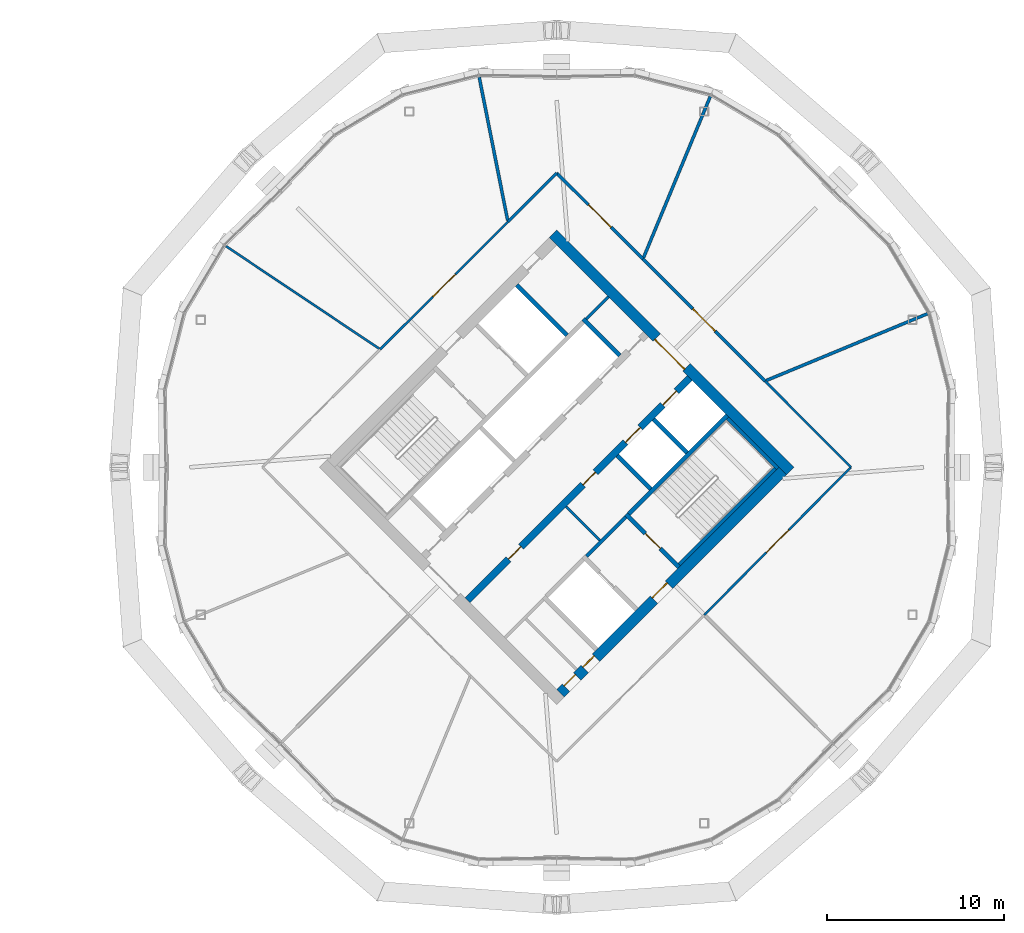
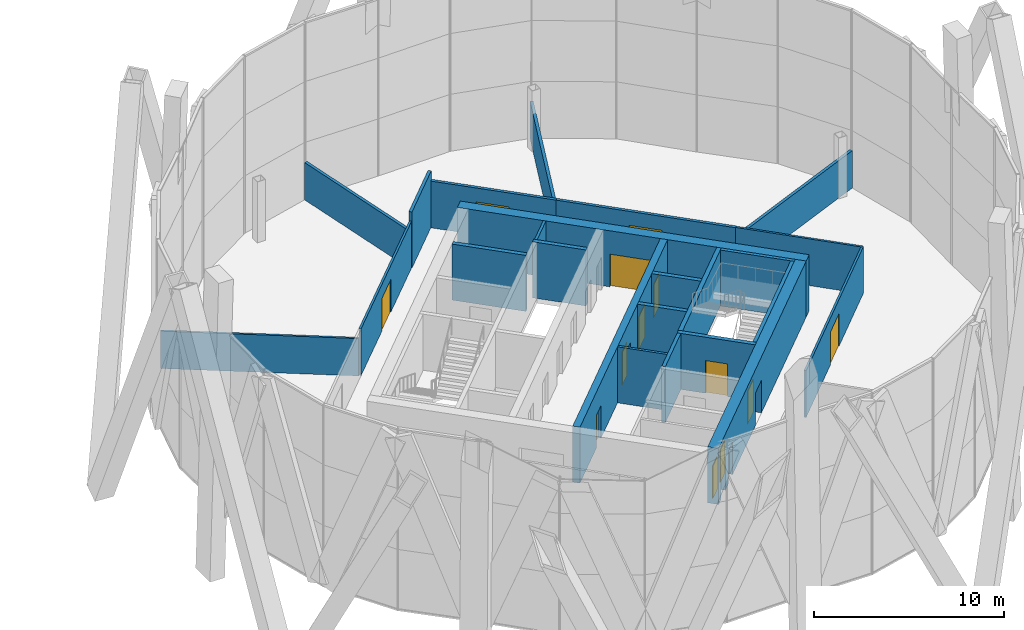
# One storey, part 19 of 23: 24 walls, 13 doors, 13 openings.
"""IFC4 building model written with IfcOpenShell, lengths in metres."""

import ifcopenshell
import ifcopenshell.guid

model = None  # the IFC model being written
_history = None  # IfcOwnerHistory: only IFC2X3 demands one
_inside = {}  # id of a spatial element -> (the spatial element, [elements in it])
_under = {}  # id of a project, library or spatial element -> (it, [spatial elements below it])
_declared = {}  # id of a project -> (the project, [libraries it declares])
_typed = {}  # id of a type object -> (the type object, [elements of that type])
_made_of = {}  # id of a material, layer set ... -> (it, [elements and type objects made of it])


def new_model(schema):
    """Start an empty IFC model of exactly this schema.

    Asked for "IFC4X3", IfcOpenShell would pick the latest addendum, in which some entities
    have other attributes; the version numbers below select the first issue.
    IFC2X3 requires an IfcOwnerHistory on every rooted entity: one is made here for all.
    """
    global model, _history
    if schema == "IFC4X3":
        model = ifcopenshell.file(schema_version=(4, 3, 0, 0))
    else:
        model = ifcopenshell.file(schema=schema)
    _inside.clear()
    _under.clear()
    _declared.clear()
    _typed.clear()
    _made_of.clear()
    _history = None
    if model.schema == "IFC2X3":
        org = make("IfcOrganization", Name="unknown")
        user = make(
            "IfcPersonAndOrganization",
            ThePerson=make("IfcPerson", FamilyName="unknown"),
            TheOrganization=org,
        )
        app = make(
            "IfcApplication",
            ApplicationDeveloper=org,
            Version="unknown",
            ApplicationFullName="unknown",
            ApplicationIdentifier="unknown",
        )
        _history = make(
            "IfcOwnerHistory",
            OwningUser=user,
            OwningApplication=app,
            ChangeAction="ADDED",
            CreationDate=0,
        )
    return model


def make(cls, **values):
    """One entity of the class cls with the attributes given. An attribute that is None is left unset."""
    return model.create_entity(
        cls, **{name: value for name, value in values.items() if value is not None}
    )


def rooted(cls, **values):
    """An entity with a GlobalId (a new one), such as an element, a storey or a relation."""
    return make(cls, GlobalId=ifcopenshell.guid.new(), OwnerHistory=_history, **values)


def si_unit(unit_type, name, prefix=None):
    """IfcSIUnit, for example si_unit("LENGTHUNIT", "METRE", prefix="MILLI")."""
    return make("IfcSIUnit", UnitType=unit_type, Prefix=prefix, Name=name)


def assignment(units):
    """IfcUnitAssignment: the units of a project."""
    return None if units is None else make("IfcUnitAssignment", Units=units)


def point(xyz):
    """IfcCartesianPoint."""
    return None if xyz is None else make("IfcCartesianPoint", Coordinates=xyz)


def direction(xyz):
    """IfcDirection."""
    return None if xyz is None else make("IfcDirection", DirectionRatios=xyz)


def frame(location, z_axis=None, x_axis=None):
    """IfcAxis2Placement3D, a coordinate frame: its origin and axes. An axis left out is left unset."""
    return make(
        "IfcAxis2Placement3D",
        Location=point(location),
        Axis=direction(z_axis),
        RefDirection=direction(x_axis),
    )


def frame_2d(location, x_axis=None):
    """IfcAxis2Placement2D, a coordinate frame in the plane: its origin and x axis."""
    return make(
        "IfcAxis2Placement2D", Location=point(location), RefDirection=direction(x_axis)
    )


def origin():
    """The frame at (0, 0, 0) with its axes left unset."""
    return frame((0.0, 0.0, 0.0))


def place(relative_to, where):
    """IfcLocalPlacement: puts the frame where relative to a parent placement (None: the world)."""
    return make(
        "IfcLocalPlacement", PlacementRelTo=relative_to, RelativePlacement=where
    )


def context(
    kind, dimensions, precision=None, world=None, true_north=None, identifier=None
):
    """IfcGeometricRepresentationContext, for example the 3D "Model" context."""
    return make(
        "IfcGeometricRepresentationContext",
        ContextIdentifier=identifier,
        ContextType=kind,
        CoordinateSpaceDimension=dimensions,
        Precision=precision,
        WorldCoordinateSystem=world,
        TrueNorth=true_north,
    )


def subcontext(parent, identifier, kind, view, scale=None):
    """IfcGeometricRepresentationSubContext, for example "Body" below "Model"."""
    return make(
        "IfcGeometricRepresentationSubContext",
        ContextIdentifier=identifier,
        ContextType=kind,
        ParentContext=parent,
        TargetScale=scale,
        TargetView=view,
    )


def project(units=None, contexts=None):
    """IfcProject with its units and contexts."""
    return rooted(
        "IfcProject",
        Name="project",
        RepresentationContexts=contexts,
        UnitsInContext=assignment(units),
    )


def spatial(cls, under=None, at=None, **own):
    """A site, building, storey or space (cls), placed at a placement, below another one or the project."""
    s = rooted(cls, ObjectPlacement=at, **own)
    if under is not None:
        _under.setdefault(under.id(), (under, []))[1].append(s)
    return s


def profile(cls, at=None, kind="AREA", **sizes):
    """A parametric profile (cls). Its sizes go by their IFC names, for example OverallWidth=200.0."""
    return make(cls, ProfileType=kind, Position=at, **sizes)


def rectangle(**sizes):
    """IfcRectangleProfileDef."""
    return profile("IfcRectangleProfileDef", **sizes)


def extrude(swept, where, along, depth):
    """IfcExtrudedAreaSolid: the profile swept, set in the frame where, extruded along a direction by depth."""
    return make(
        "IfcExtrudedAreaSolid",
        SweptArea=swept,
        Position=where,
        ExtrudedDirection=direction(along),
        Depth=depth,
    )


def shape(context_of_items, identifier, shape_type, items):
    """IfcShapeRepresentation: the items that make up one representation, for example the "Body"."""
    return make(
        "IfcShapeRepresentation",
        ContextOfItems=context_of_items,
        RepresentationIdentifier=identifier,
        RepresentationType=shape_type,
        Items=items,
    )


def material(Name=None, Category=None):
    """IfcMaterial."""
    return make("IfcMaterial", Name=Name, Category=Category)


def layer(
    of_material, thickness, ventilated=None, Name=None, Category=None, Priority=None
):
    """IfcMaterialLayer: one layer of a wall or slab, of a material (None: an air gap)."""
    return make(
        "IfcMaterialLayer",
        Material=of_material,
        LayerThickness=thickness,
        IsVentilated=ventilated,
        Name=Name,
        Category=Category,
        Priority=Priority,
    )


def layer_set(layers, Name=None):
    """IfcMaterialLayerSet."""
    return make("IfcMaterialLayerSet", MaterialLayers=layers, LayerSetName=Name)


def made_of(thing, what):
    """Note that an element or type object is made of a material, layer set ...; save() writes the relation."""
    if what is not None:
        _made_of.setdefault(what.id(), (what, []))[1].append(thing)
    return thing


def type_object(cls, material=None, **own):
    """A type object (cls), such as IfcWallType, which elements share."""
    return made_of(rooted(cls, **own), material)


def element(
    cls,
    number,
    at=None,
    inside=None,
    cuts=None,
    type_object=None,
    material=None,
    context=None,
    identifier="Body",
    shape_type=None,
    held_by="IfcProductDefinitionShape",
    body=None,
    shapes=None,
    **own,
):
    """One element of the class cls, such as IfcWall. Its Tag is "e" and its number.

    at: its placement. inside: the storey or other place that contains it. cuts: it is an
    opening in that element (IfcRelVoidsElement). A single representation is given by context,
    identifier, shape_type and body (its items); several are given by shapes. held_by: the class
    of the entity that holds the representations. save() writes the other relations.
    """
    e = rooted(cls, Tag="e%d" % number, ObjectPlacement=at, **own)
    if body is not None:
        shapes = [shape(context, identifier, shape_type, body)]
    if shapes is not None:
        e.Representation = make(held_by, Representations=shapes)
    if inside is not None:
        _inside.setdefault(inside.id(), (inside, []))[1].append(e)
    if cuts is not None:
        rooted(
            "IfcRelVoidsElement", RelatingBuildingElement=cuts, RelatedOpeningElement=e
        )
    if type_object is not None:
        _typed.setdefault(type_object.id(), (type_object, []))[1].append(e)
    return made_of(e, material)


def fill(opening, filler):
    """IfcRelFillsElement: the door or window that sits in an opening."""
    return rooted(
        "IfcRelFillsElement",
        RelatingOpeningElement=opening,
        RelatedBuildingElement=filler,
    )


def aggregate(whole, parts):
    """IfcRelAggregates: a whole, such as a stair, and the parts it consists of."""
    return rooted("IfcRelAggregates", RelatingObject=whole, RelatedObjects=parts)


def save(model, path):
    """Write the relations noted so far, then the file.

    IfcRelAggregates (storeys below a building ...), IfcRelContainedInSpatialStructure (elements
    in a storey), IfcRelDefinesByType, IfcRelAssociatesMaterial and IfcRelDeclares: one each for
    every whole, place, type object, material and project.
    """
    for whole, parts in _under.values():
        aggregate(whole, parts)
    for where, things in _inside.values():
        rooted(
            "IfcRelContainedInSpatialStructure",
            RelatedElements=things,
            RelatingStructure=where,
        )
    for kind, things in _typed.values():
        rooted("IfcRelDefinesByType", RelatedObjects=things, RelatingType=kind)
    for what, things in _made_of.values():
        rooted("IfcRelAssociatesMaterial", RelatedObjects=things, RelatingMaterial=what)
    for by, libraries in _declared.values():
        rooted("IfcRelDeclares", RelatingContext=by, RelatedDefinitions=libraries)
    model.write(path)


model = new_model("IFC4")

# Units and contexts
model_context = context("Model", 3, precision=1e-05, world=origin(), true_north=direction((0.0, 1.0)))
body_context = subcontext(model_context, "Body", "Model", "MODEL_VIEW")
ifc_project = project(units=[si_unit("LENGTHUNIT", "METRE"), si_unit("AREAUNIT", "SQUARE_METRE"), si_unit("VOLUMEUNIT", "CUBIC_METRE"), si_unit("PLANEANGLEUNIT", "RADIAN"), si_unit("MASSUNIT", "GRAM", prefix="KILO")], contexts=[model_context])

# Site, building, storey
site_placement = place(None, origin())
site = spatial("IfcSite", under=ifc_project, at=site_placement, CompositionType="ELEMENT")
building_placement = place(site_placement, origin())
building = spatial("IfcBuilding", under=site, at=building_placement, Name="Ogive Gate Towers", CompositionType="ELEMENT")
storey_placement = place(building_placement, frame((0.0, 0.0, 165.60009765625)))
storey = spatial("IfcBuildingStorey", under=building, at=storey_placement, Name="L39", CompositionType="ELEMENT", Elevation=165.60009765625)

# Walls
ifc_material_1 = material(Name="Gypsum board acoustic partition")
ifc_layer_1 = layer(ifc_material_1, 0.175048828125)
ifc_layer_set_1 = layer_set([ifc_layer_1], Name="Acoustic partition 175")
wall_type_1 = type_object("IfcWallType", Name="Acoustic partition 175", PredefinedType="PARTITIONING", material=ifc_layer_set_1)
for number, where, z_axis, x_axis, name in (
    (1, (56.999755859375, 8.698486328125, 0.0), (0.0, 0.0, 1.0), (-0.923882696383, -0.382675794013, 0.0), "Partition T2-L39-001"),
    (2, (44.698486328125, 20.999755859375, 0.0), (0.0, 0.0, 1.0), (-0.382675794013, -0.923882696383, 0.0), "Partition T2-L39-002"),
):
    element("IfcWall", number, at=place(storey_placement, frame(where, z_axis=z_axis, x_axis=x_axis)), inside=storey, type_object=wall_type_1, Name=name, PredefinedType="PARTITIONING", context=body_context, shape_type="SweptSolid", body=[
        extrude(rectangle(XDim=9.87158203125, YDim=0.175048828125, at=frame_2d((4.935791015625, 0.0))), origin(), (0.0, 0.0, 1.0), 2.39990234375),
    ])
wall_1_placement = place(storey_placement, frame((31.612548828125, 22.09814453125, 0.0), z_axis=(0.0, 0.0, 1.0), x_axis=(0.194747981296, -0.9808533141, 0.0)))
element("IfcWall", 3, at=wall_1_placement, inside=storey, type_object=wall_type_1, Name="Partition T2-L39-003", PredefinedType="PARTITIONING", context=body_context, shape_type="SweptSolid", body=[
    extrude(rectangle(XDim=8.271484375, YDim=0.175048828125, at=frame_2d((4.1357421875, 0.0))), origin(), (0.0, 0.0, 1.0), 2.39990234375),
])

# Wall, opening, door
wall_2_placement = place(storey_placement, frame((40.88720703125, 11.798828125, 0.0), z_axis=(0.0, 0.0, 1.0), x_axis=(-0.709034527983, 0.705173764492, 0.0)))
wall_2 = element("IfcWall", 4, at=wall_2_placement, inside=storey, type_object=wall_type_1, Name="Partition T2-L39-009", PredefinedType="PARTITIONING", context=body_context, shape_type="SweptSolid", body=[
    extrude(rectangle(XDim=6.892822265625, YDim=0.175048828125, at=frame_2d((3.4462890625, 0.0))), origin(), (0.0, 0.0, 1.0), 3.0),
])
opening_1_placement = place(wall_2_placement, frame((2.5458984375, 0.0, 0.0)))
opening_1 = element("IfcOpeningElement", 5, at=opening_1_placement, cuts=wall_2, Name="Opening T2-L39-D01", PredefinedType="OPENING", context=body_context, shape_type="SweptSolid", body=[
    extrude(rectangle(XDim=1.800048828125, YDim=2.10009765625, at=frame_2d((0.89990234375, 1.050048828125))), frame((0.0, 0.09765625, 0.0), z_axis=(0.0, -1.0, 0.0), x_axis=(1.0, 0.0, 0.0)), (0.0, 0.0, 1.0), 0.195068359375),
])
ifc_material_2 = material(Name="Timber door", Category="wood")
door_type_1 = type_object("IfcDoorType", Name="Door pair 1800", OperationType="NOTDEFINED", PredefinedType="DOOR", material=ifc_material_2)
door_1_placement = place(opening_1_placement, origin())
door_1 = element("IfcDoor", 6, at=door_1_placement, inside=storey, type_object=door_type_1, Name="Door T2-L39-D01", OperationType="DOUBLE_DOOR_DOUBLE_SWING", OverallHeight=2.10009765625, OverallWidth=1.800048828125, PredefinedType="DOOR", context=body_context, shape_type="SweptSolid", body=[
    extrude(rectangle(XDim=1.800048828125, YDim=2.10009765625, at=frame_2d((0.89990234375, 1.050048828125))), frame((0.0, 0.02490234375, 0.0), z_axis=(0.0, -1.0, 0.0), x_axis=(1.0, 0.0, 0.0)), (0.0, 0.0, 1.0), 0.050048828125),
])
fill(opening_1, door_1)

# Wall
wall_3_placement = place(storey_placement, frame((36.0, 16.659423828125, 0.0), z_axis=(0.0, 0.0, 1.0), x_axis=(-0.707075505039, -0.707138055951, 0.0)))
element("IfcWall", 7, at=wall_3_placement, inside=storey, type_object=wall_type_1, Name="Partition T2-L39-010", PredefinedType="PARTITIONING", context=body_context, shape_type="SweptSolid", body=[
    extrude(rectangle(XDim=3.903076171875, YDim=0.175048828125, at=frame_2d((1.95166015625, 0.0))), origin(), (0.0, 0.0, 1.0), 3.599853515625),
])

# Wall, opening, door
wall_4_placement = place(storey_placement, frame((47.798828125, 4.88720703125, 0.0), z_axis=(0.0, 0.0, 1.0), x_axis=(-0.707106781187, 0.707106781187, 0.0)))
wall_4 = element("IfcWall", 8, at=wall_4_placement, inside=storey, type_object=wall_type_1, Name="Partition T2-L39-020", PredefinedType="PARTITIONING", context=body_context, shape_type="SweptSolid", body=[
    extrude(rectangle(XDim=9.7744140625, YDim=0.175048828125, at=frame_2d((4.88720703125, 0.0))), origin(), (0.0, 0.0, 1.0), 3.0),
])
opening_2_placement = place(wall_4_placement, frame((3.987060546875, 0.0, 0.0)))
opening_2 = element("IfcOpeningElement", 9, at=opening_2_placement, cuts=wall_4, Name="Opening T2-L39-D08", PredefinedType="OPENING", context=body_context, shape_type="SweptSolid", body=[
    extrude(rectangle(XDim=1.800048828125, YDim=2.10009765625, at=frame_2d((0.89990234375, 1.050048828125))), frame((0.0, 0.09765625, 0.0), z_axis=(0.0, -1.0, 0.0), x_axis=(1.0, 0.0, 0.0)), (0.0, 0.0, 1.0), 0.195068359375),
])
door_2_placement = place(opening_2_placement, origin())
door_2 = element("IfcDoor", 10, at=door_2_placement, inside=storey, type_object=door_type_1, Name="Door T2-L39-D08", OperationType="DOUBLE_DOOR_DOUBLE_SWING", OverallHeight=2.10009765625, OverallWidth=1.800048828125, PredefinedType="DOOR", context=body_context, shape_type="SweptSolid", body=[
    extrude(rectangle(XDim=1.800048828125, YDim=2.10009765625, at=frame_2d((0.89990234375, 1.050048828125))), frame((0.0, 0.02490234375, 0.0), z_axis=(0.0, -1.0, 0.0), x_axis=(1.0, 0.0, 0.0)), (0.0, 0.0, 1.0), 0.050048828125),
])
fill(opening_2, door_2)

# Wall
ifc_material_3 = material(Name="Masonry blockwork", Category="masonry")
ifc_layer_2 = layer(ifc_material_3, 0.199951171875)
ifc_layer_set_2 = layer_set([ifc_layer_2], Name="Blockwork wall 200 mm")
wall_type_2 = type_object("IfcWallType", Name="Blockwork wall 200 mm", PredefinedType="PARTITIONING", material=ifc_layer_set_2)
wall_5_placement = place(storey_placement, frame((37.679443359375, -5.0380859375, 0.0), z_axis=(0.0, 0.0, 1.0), x_axis=(0.707106781187, 0.707106781187, 0.0)))
element("IfcWall", 11, at=wall_5_placement, inside=storey, type_object=wall_type_2, Name="T2 L39 Blockwork wall 200 mm", PredefinedType="PARTITIONING", context=body_context, shape_type="SweptSolid", body=[
    extrude(rectangle(XDim=3.14990234375, YDim=0.199951171875, at=frame_2d((1.574951171875, 0.0))), origin(), (0.0, 0.0, 1.0), 3.599853515625),
])

# Wall, openings, doors
ifc_material_4 = material(Name="Concrete C60/75", Category="concrete")
ifc_layer_3 = layer(ifc_material_4, 0.60009765625)
ifc_layer_set_3 = layer_set([ifc_layer_3], Name="Core wall 600 mm")
wall_type_3 = type_object("IfcWallType", Name="Core wall 600 mm", PredefinedType="SHEAR", material=ifc_layer_set_3)
wall_6_placement = place(storey_placement, frame((36.212158203125, -12.798583984375, 0.0), z_axis=(0.0, 0.0, 1.0), x_axis=(0.707106781187, 0.707106781187, 0.0)))
wall_6 = element("IfcWall", 12, at=wall_6_placement, inside=storey, type_object=wall_type_3, Name="T2 L39 Core wall 600 mm", PredefinedType="SHEAR", context=body_context, shape_type="SweptSolid", body=[
    extrude(rectangle(XDim=17.7998046875, YDim=0.60009765625, at=frame_2d((8.89990234375, 0.0))), origin(), (0.0, 0.0, 1.0), 3.599853515625),
])
opening_3_placement = place(wall_6_placement, frame((7.5, 0.0, 0.0)))
opening_3 = element("IfcOpeningElement", 13, at=opening_3_placement, cuts=wall_6, Name="Opening KD-T2-L39-19", PredefinedType="OPENING", context=body_context, shape_type="SweptSolid", body=[
    extrude(rectangle(XDim=1.199951171875, YDim=2.10009765625, at=frame_2d((0.60009765625, 1.050048828125))), frame((0.0, 0.31005859375, 0.0), z_axis=(0.0, -1.0, 0.0), x_axis=(1.0, 0.0, 0.0)), (0.0, 0.0, 1.0), 0.6201171875),
])
opening_4_placement = place(wall_6_placement, frame((0.449951171875, 0.0, 0.0)))
opening_4 = element("IfcOpeningElement", 14, at=opening_4_placement, cuts=wall_6, Name="Opening KD-T2-L39-21", PredefinedType="OPENING", context=body_context, shape_type="SweptSolid", body=[
    extrude(rectangle(XDim=0.89990234375, YDim=2.10009765625, at=frame_2d((0.449951171875, 1.050048828125))), frame((0.0, 0.31005859375, 0.0), z_axis=(0.0, -1.0, 0.0), x_axis=(1.0, 0.0, 0.0)), (0.0, 0.0, 1.0), 0.6201171875),
])
opening_5_placement = place(wall_6_placement, frame((1.949951171875, 0.0, 0.0)))
opening_5 = element("IfcOpeningElement", 15, at=opening_5_placement, cuts=wall_6, Name="Opening KD-T2-L39-22", PredefinedType="OPENING", context=body_context, shape_type="SweptSolid", body=[
    extrude(rectangle(XDim=0.89990234375, YDim=2.10009765625, at=frame_2d((0.449951171875, 1.050048828125))), frame((0.0, 0.31005859375, 0.0), z_axis=(0.0, -1.0, 0.0), x_axis=(1.0, 0.0, 0.0)), (0.0, 0.0, 1.0), 0.6201171875),
])
door_type_2 = type_object("IfcDoorType", Name="Core WC door 900 x 2100", OperationType="NOTDEFINED", PredefinedType="DOOR", material=ifc_material_2)
door_3_placement = place(opening_4_placement, origin())
door_3 = element("IfcDoor", 16, at=door_3_placement, inside=storey, type_object=door_type_2, Name="T2 L39 Core door", OperationType="SINGLE_SWING_RIGHT", OverallHeight=2.10009765625, OverallWidth=0.89990234375, PredefinedType="DOOR", context=body_context, shape_type="SweptSolid", body=[
    extrude(rectangle(XDim=0.89990234375, YDim=2.10009765625, at=frame_2d((0.449951171875, 1.050048828125))), frame((0.0, 0.1748046875, 0.0), z_axis=(0.0, -1.0, 0.0), x_axis=(1.0, 0.0, 0.0)), (0.0, 0.0, 1.0), 0.050048828125),
])
fill(opening_4, door_3)
door_4_placement = place(opening_5_placement, origin())
door_4 = element("IfcDoor", 17, at=door_4_placement, inside=storey, type_object=door_type_2, Name="T2 L39 Core door", OperationType="SINGLE_SWING_LEFT", OverallHeight=2.10009765625, OverallWidth=0.89990234375, PredefinedType="DOOR", context=body_context, shape_type="SweptSolid", body=[
    extrude(rectangle(XDim=0.89990234375, YDim=2.10009765625, at=frame_2d((0.449951171875, 1.050048828125))), frame((0.0, 0.1748046875, 0.0), z_axis=(0.0, -1.0, 0.0), x_axis=(1.0, 0.0, 0.0)), (0.0, 0.0, 1.0), 0.050048828125),
])
fill(opening_5, door_4)
ifc_material_5 = material(Name="Steel fire door", Category="steel")
door_type_3 = type_object("IfcDoorType", Name="Core door FD60S 1200 x 2100", OperationType="NOTDEFINED", PredefinedType="DOOR", material=ifc_material_5)
door_5_placement = place(opening_3_placement, origin())
door_5 = element("IfcDoor", 18, at=door_5_placement, inside=storey, type_object=door_type_3, Name="T2 L39 Fire-fighting lobby door", OperationType="SINGLE_SWING_RIGHT", OverallHeight=2.10009765625, OverallWidth=1.199951171875, PredefinedType="DOOR", context=body_context, shape_type="SweptSolid", body=[
    extrude(rectangle(XDim=1.199951171875, YDim=2.10009765625, at=frame_2d((0.60009765625, 1.050048828125))), frame((0.0, 0.1748046875, 0.0), z_axis=(0.0, -1.0, 0.0), x_axis=(1.0, 0.0, 0.0)), (0.0, 0.0, 1.0), 0.050048828125),
])
fill(opening_3, door_5)

# Wall, opening, door
wall_7_placement = place(storey_placement, frame((49.222900390625, -0.212158203125, 0.0), z_axis=(0.0, 0.0, 1.0), x_axis=(-0.707106781187, 0.707106781187, 0.0)))
wall_7 = element("IfcWall", 19, at=wall_7_placement, inside=storey, type_object=wall_type_3, Name="T2 L39 Core wall 600 mm", PredefinedType="SHEAR", context=body_context, shape_type="SweptSolid", body=[
    extrude(rectangle(XDim=19.0, YDim=0.60009765625, at=frame_2d((9.5, 0.0))), origin(), (0.0, 0.0, 1.0), 3.599853515625),
])
opening_6_placement = place(wall_7_placement, frame((8.300048828125, 0.0, 0.0)))
opening_6 = element("IfcOpeningElement", 20, at=opening_6_placement, cuts=wall_7, Name="Opening KD-T2-L39-02", PredefinedType="OPENING", context=body_context, shape_type="SweptSolid", body=[
    extrude(rectangle(XDim=2.39990234375, YDim=2.10009765625, at=frame_2d((1.199951171875, 1.050048828125))), frame((0.0, 0.31005859375, 0.0), z_axis=(0.0, -1.0, 0.0), x_axis=(1.0, 0.0, 0.0)), (0.0, 0.0, 1.0), 0.6201171875),
])
door_type_4 = type_object("IfcDoorType", Name="Core double door FD60S 2400 x 2100", OperationType="DOUBLE_DOOR_SINGLE_SWING", PredefinedType="DOOR", material=ifc_material_5)
door_6_placement = place(opening_6_placement, origin())
door_6 = element("IfcDoor", 21, at=door_6_placement, inside=storey, type_object=door_type_4, Name="T2 L39 Core door double", OperationType="DOUBLE_DOOR_SINGLE_SWING", OverallHeight=2.10009765625, OverallWidth=2.39990234375, PredefinedType="DOOR", context=body_context, shape_type="SweptSolid", body=[
    extrude(rectangle(XDim=2.39990234375, YDim=2.10009765625, at=frame_2d((1.199951171875, 1.050048828125))), frame((0.0, 0.1748046875, 0.0), z_axis=(0.0, -1.0, 0.0), x_axis=(1.0, 0.0, 0.0)), (0.0, 0.0, 1.0), 0.050048828125),
])
fill(opening_6, door_6)

# Wall
ifc_material_6 = material(Name="Gypsum board partition")
ifc_layer_4 = layer(ifc_material_6, 0.125)
ifc_layer_set_4 = layer_set([ifc_layer_4], Name="Partition 125")
wall_type_4 = type_object("IfcWallType", Name="Partition 125", PredefinedType="PARTITIONING", material=ifc_layer_set_4)
wall_8_placement = place(storey_placement, frame((17.271728515625, 12.5234375, 0.0), z_axis=(0.0, 0.0, 1.0), x_axis=(0.831276473527, -0.555859176914, 0.0)))
element("IfcWall", 22, at=wall_8_placement, inside=storey, type_object=wall_type_4, Name="Partition T2-L39-004", PredefinedType="PARTITIONING", context=body_context, shape_type="SweptSolid", body=[
    extrude(rectangle(XDim=10.44677734375, YDim=0.125, at=frame_2d((5.223388671875, 0.0))), origin(), (0.0, 0.0, 1.0), 2.39990234375),
])

# Wall, opening, door
wall_9_placement = place(storey_placement, frame((33.240234375, 13.8994140625, 0.0), z_axis=(0.0, 0.0, 1.0), x_axis=(-0.707847093998, -0.706365692484, 0.0)))
wall_9 = element("IfcWall", 23, at=wall_9_placement, inside=storey, type_object=wall_type_4, Name="Partition T2-L39-011", PredefinedType="PARTITIONING", context=body_context, shape_type="SweptSolid", body=[
    extrude(rectangle(XDim=10.2177734375, YDim=0.125, at=frame_2d((5.10888671875, 0.0))), origin(), (0.0, 0.0, 1.0), 3.0),
])
opening_7_placement = place(wall_9_placement, frame((4.208984375, 0.0, 0.0)))
opening_7 = element("IfcOpeningElement", 24, at=opening_7_placement, cuts=wall_9, Name="Opening T2-L39-D02", PredefinedType="OPENING", context=body_context, shape_type="SweptSolid", body=[
    extrude(rectangle(XDim=1.800048828125, YDim=2.10009765625, at=frame_2d((0.89990234375, 1.050048828125))), frame((0.0, 0.072509765625, 0.0), z_axis=(0.0, -1.0, 0.0), x_axis=(1.0, 0.0, 0.0)), (0.0, 0.0, 1.0), 0.14501953125),
])
door_7_placement = place(opening_7_placement, origin())
door_7 = element("IfcDoor", 25, at=door_7_placement, inside=storey, type_object=door_type_1, Name="Door T2-L39-D02", OperationType="DOUBLE_DOOR_DOUBLE_SWING", OverallHeight=2.10009765625, OverallWidth=1.800048828125, PredefinedType="DOOR", context=body_context, shape_type="SweptSolid", body=[
    extrude(rectangle(XDim=1.800048828125, YDim=2.10009765625, at=frame_2d((0.89990234375, 1.050048828125))), frame((0.0, 0.02490234375, 0.0), z_axis=(0.0, -1.0, 0.0), x_axis=(1.0, 0.0, 0.0)), (0.0, 0.0, 1.0), 0.050048828125),
])
fill(opening_7, door_7)

wall_10_placement = place(storey_placement, frame((44.35791015625, -8.35791015625, 0.0), z_axis=(0.0, 0.0, 1.0), x_axis=(0.70470900278, 0.709496456229, 0.0)))
wall_10 = element("IfcWall", 26, at=wall_10_placement, inside=storey, type_object=wall_type_4, Name="Partition T2-L39-018", PredefinedType="PARTITIONING", context=body_context, shape_type="SweptSolid", body=[
    extrude(rectangle(XDim=11.780029296875, YDim=0.125, at=frame_2d((5.89013671875, 0.0))), origin(), (0.0, 0.0, 1.0), 3.0),
])
opening_8_placement = place(wall_10_placement, frame((4.989990234375, 0.0, 0.0)))
opening_8 = element("IfcOpeningElement", 27, at=opening_8_placement, cuts=wall_10, Name="Opening T2-L39-D07", PredefinedType="OPENING", context=body_context, shape_type="SweptSolid", body=[
    extrude(rectangle(XDim=1.800048828125, YDim=2.10009765625, at=frame_2d((0.89990234375, 1.050048828125))), frame((0.0, 0.072509765625, 0.0), z_axis=(0.0, -1.0, 0.0), x_axis=(1.0, 0.0, 0.0)), (0.0, 0.0, 1.0), 0.14501953125),
])
door_8_placement = place(opening_8_placement, origin())
door_8 = element("IfcDoor", 28, at=door_8_placement, inside=storey, type_object=door_type_1, Name="Door T2-L39-D07", OperationType="DOUBLE_DOOR_DOUBLE_SWING", OverallHeight=2.10009765625, OverallWidth=1.800048828125, PredefinedType="DOOR", context=body_context, shape_type="SweptSolid", body=[
    extrude(rectangle(XDim=1.800048828125, YDim=2.10009765625, at=frame_2d((0.89990234375, 1.050048828125))), frame((0.0, 0.02490234375, 0.0), z_axis=(0.0, -1.0, 0.0), x_axis=(1.0, 0.0, 0.0)), (0.0, 0.0, 1.0), 0.050048828125),
])
fill(opening_8, door_8)

# Walls
wall_11_placement = place(storey_placement, frame((52.659423828125, 0.0, 0.0), z_axis=(0.0, 0.0, 1.0), x_axis=(-0.705173764492, 0.709034527983, 0.0)))
element("IfcWall", 29, at=wall_11_placement, inside=storey, type_object=wall_type_4, Name="Partition T2-L39-019", PredefinedType="PARTITIONING", context=body_context, shape_type="SweptSolid", body=[
    extrude(rectangle(XDim=6.892822265625, YDim=0.125, at=frame_2d((3.4462890625, 0.0))), origin(), (0.0, 0.0, 1.0), 3.0),
])
ifc_layer_5 = layer(ifc_material_6, 0.14990234375)
ifc_layer_set_5 = layer_set([ifc_layer_5], Name="Room partition 150 mm")
wall_type_5 = type_object("IfcWallType", Name="Room partition 150 mm", PredefinedType="PARTITIONING", material=ifc_layer_set_5)
wall_12_placement = place(storey_placement, frame((37.679443359375, 8.39697265625, 0.0), z_axis=(0.0, 0.0, 1.0), x_axis=(0.707106781187, 0.707106781187, 0.0)))
element("IfcWall", 30, at=wall_12_placement, inside=storey, type_object=wall_type_5, Name="T2 L39 Room partition 150 mm", PredefinedType="PARTITIONING", context=body_context, shape_type="SweptSolid", body=[
    extrude(rectangle(XDim=1.77490234375, YDim=0.14990234375, at=frame_2d((0.887451171875, 0.0))), origin(), (0.0, 0.0, 1.0), 3.599853515625),
])
wall_13_placement = place(storey_placement, frame((38.439453125, -4.13671875, 0.0), z_axis=(0.0, 0.0, 1.0), x_axis=(-0.707061571201, 0.707151988282, 0.0)))
element("IfcWall", 31, at=wall_13_placement, inside=storey, type_object=wall_type_5, Name="T2 L39 Room partition 150 mm", PredefinedType="PARTITIONING", context=body_context, shape_type="SweptSolid", body=[
    extrude(rectangle(XDim=2.7001953125, YDim=0.14990234375, at=frame_2d((1.35009765625, 0.0))), origin(), (0.0, 0.0, 1.0), 3.599853515625),
])
ifc_layer_6 = layer(ifc_material_4, 0.25)
ifc_layer_set_6 = layer_set([ifc_layer_6], Name="Shaft wall 250 mm")
wall_type_6 = type_object("IfcWallType", Name="Shaft wall 250 mm", PredefinedType="SHEAR", material=ifc_layer_set_6)
wall_14_placement = place(storey_placement, frame((40.08349609375, -2.634033203125, 0.0), z_axis=(0.0, 0.0, 1.0), x_axis=(0.707106781187, 0.707106781187, 0.0)))
element("IfcWall", 32, at=wall_14_placement, inside=storey, type_object=wall_type_6, Name="T2 L39 Shaft wall 250 mm", PredefinedType="SHEAR", context=body_context, shape_type="SweptSolid", body=[
    extrude(rectangle(XDim=7.875244140625, YDim=0.25, at=frame_2d((3.9375, 0.0))), origin(), (0.0, 0.0, 1.0), 3.599853515625),
])

# Wall, opening, door
wall_15_placement = place(storey_placement, frame((42.9296875, -5.656982421875, 0.0), z_axis=(0.0, 0.0, 1.0), x_axis=(-0.707106781187, 0.707106781187, 0.0)))
wall_15 = element("IfcWall", 33, at=wall_15_placement, inside=storey, type_object=wall_type_6, Name="T2 L39 Shaft wall 250 mm", PredefinedType="SHEAR", context=body_context, shape_type="SweptSolid", body=[
    extrude(rectangle(XDim=4.250244140625, YDim=0.25, at=frame_2d((2.125, 0.0))), origin(), (0.0, 0.0, 1.0), 3.599853515625),
])
opening_9_placement = place(wall_15_placement, frame((1.5, 0.0, 0.0)))
opening_9 = element("IfcOpeningElement", 34, at=opening_9_placement, cuts=wall_15, Name="Opening KD-T2-L39-17", PredefinedType="OPENING", context=body_context, shape_type="SweptSolid", body=[
    extrude(rectangle(XDim=1.199951171875, YDim=2.10009765625, at=frame_2d((0.60009765625, 1.050048828125))), frame((0.0, 0.135009765625, 0.0), z_axis=(0.0, -1.0, 0.0), x_axis=(1.0, 0.0, 0.0)), (0.0, 0.0, 1.0), 0.27001953125),
])
door_9_placement = place(opening_9_placement, origin())
door_9 = element("IfcDoor", 35, at=door_9_placement, inside=storey, type_object=door_type_3, Name="T2 L39 Stair door", OperationType="SINGLE_SWING_RIGHT", OverallHeight=2.10009765625, OverallWidth=1.199951171875, PredefinedType="DOOR", context=body_context, shape_type="SweptSolid", body=[
    extrude(rectangle(XDim=1.199951171875, YDim=2.10009765625, at=frame_2d((0.60009765625, 1.050048828125))), frame((0.0, 0.02490234375, 0.0), z_axis=(0.0, -1.0, 0.0), x_axis=(1.0, 0.0, 0.0)), (0.0, 0.0, 1.0), 0.050048828125),
])
fill(opening_9, door_9)

# Walls
wall_16_placement = place(storey_placement, frame((41.321044921875, -1.2197265625, 0.0), z_axis=(0.0, 0.0, 1.0), x_axis=(-0.707106781187, 0.707106781187, 0.0)))
element("IfcWall", 36, at=wall_16_placement, inside=storey, type_object=wall_type_6, Name="T2 L39 Shaft wall 250 mm", PredefinedType="SHEAR", context=body_context, shape_type="SweptSolid", body=[
    extrude(rectangle(XDim=2.675048828125, YDim=0.25, at=frame_2d((1.33740234375, 0.0))), origin(), (0.0, 0.0, 1.0), 3.599853515625),
])
wall_17_placement = place(storey_placement, frame((36.58349609375, 7.477783203125, 0.0), z_axis=(0.0, 0.0, 1.0), x_axis=(-0.707137108942, 0.70707645213, 0.0)))
element("IfcWall", 37, at=wall_17_placement, inside=storey, type_object=wall_type_6, Name="T2 L39 Shaft wall 250 mm", PredefinedType="SHEAR", context=body_context, shape_type="SweptSolid", body=[
    extrude(rectangle(XDim=4.02490234375, YDim=0.25, at=frame_2d((2.012451171875, 0.0))), origin(), (0.0, 0.0, 1.0), 3.599853515625),
])
wall_18_placement = place(storey_placement, frame((43.37158203125, 0.830810546875, 0.0), z_axis=(0.0, 0.0, 1.0), x_axis=(-0.707106781187, 0.707106781187, 0.0)))
element("IfcWall", 38, at=wall_18_placement, inside=storey, type_object=wall_type_6, Name="T2 L39 Shaft wall 250 mm", PredefinedType="SHEAR", context=body_context, shape_type="SweptSolid", body=[
    extrude(rectangle(XDim=2.675048828125, YDim=0.25, at=frame_2d((1.33740234375, 0.0))), origin(), (0.0, 0.0, 1.0), 3.599853515625),
])
wall_19_placement = place(storey_placement, frame((39.57080078125, 6.32861328125, 0.0), z_axis=(0.0, 0.0, 1.0), x_axis=(-0.707065045505, 0.707148514405, 0.0)))
element("IfcWall", 39, at=wall_19_placement, inside=storey, type_object=wall_type_6, Name="T2 L39 Shaft wall 250 mm", PredefinedType="SHEAR", context=body_context, shape_type="SweptSolid", body=[
    extrude(rectangle(XDim=2.925048828125, YDim=0.25, at=frame_2d((1.46240234375, 0.0))), origin(), (0.0, 0.0, 1.0), 3.599853515625),
])

# Wall, openings, doors
ifc_layer_7 = layer(ifc_material_4, 0.39990234375)
ifc_layer_set_7 = layer_set([ifc_layer_7], Name="Spine wall 400 mm")
wall_type_7 = type_object("IfcWallType", Name="Spine wall 400 mm", PredefinedType="SHEAR", material=ifc_layer_set_7)
wall_20_placement = place(storey_placement, frame((30.944091796875, -7.53076171875, 0.0), z_axis=(0.0, 0.0, 1.0), x_axis=(0.707106781187, 0.707106781187, 0.0)))
wall_20 = element("IfcWall", 40, at=wall_20_placement, inside=storey, type_object=wall_type_7, Name="T2 L39 Spine wall 400 mm", PredefinedType="SHEAR", context=body_context, shape_type="SweptSolid", body=[
    extrude(rectangle(XDim=17.80029296875, YDim=0.39990234375, at=frame_2d((8.900146484375, 0.0))), origin(), (0.0, 0.0, 1.0), 3.599853515625),
])
opening_10_placement = place(wall_20_placement, frame((12.64990234375, 0.0, 0.0)))
opening_10 = element("IfcOpeningElement", 41, at=opening_10_placement, cuts=wall_20, Name="Opening LD-T2-L39-10", PredefinedType="OPENING", context=body_context, shape_type="SweptSolid", body=[
    extrude(rectangle(XDim=1.199951171875, YDim=2.10009765625, at=frame_2d((0.60009765625, 1.050048828125))), frame((0.0, 0.2099609375, 0.0), z_axis=(0.0, -1.0, 0.0), x_axis=(1.0, 0.0, 0.0)), (0.0, 0.0, 1.0), 0.419921875),
])
opening_11_placement = place(wall_20_placement, frame((15.64990234375, 0.0, 0.0)))
opening_11 = element("IfcOpeningElement", 42, at=opening_11_placement, cuts=wall_20, Name="Opening LD-T2-L39-11", PredefinedType="OPENING", context=body_context, shape_type="SweptSolid", body=[
    extrude(rectangle(XDim=1.10009765625, YDim=2.10009765625, at=frame_2d((0.550048828125, 1.050048828125))), frame((0.0, 0.2099609375, 0.0), z_axis=(0.0, -1.0, 0.0), x_axis=(1.0, 0.0, 0.0)), (0.0, 0.0, 1.0), 0.419921875),
])
opening_12_placement = place(wall_20_placement, frame((3.300048828125, 0.0, 0.0)))
opening_12 = element("IfcOpeningElement", 43, at=opening_12_placement, cuts=wall_20, Name="Opening KD-T2-L39-14", PredefinedType="OPENING", context=body_context, shape_type="SweptSolid", body=[
    extrude(rectangle(XDim=1.0, YDim=2.10009765625, at=frame_2d((0.5, 1.050048828125))), frame((0.0, 0.2099609375, 0.0), z_axis=(0.0, -1.0, 0.0), x_axis=(1.0, 0.0, 0.0)), (0.0, 0.0, 1.0), 0.419921875),
])
opening_13_placement = place(wall_20_placement, frame((9.25, 0.0, 0.0)))
opening_13 = element("IfcOpeningElement", 44, at=opening_13_placement, cuts=wall_20, Name="Opening KD-T2-L39-15", PredefinedType="OPENING", context=body_context, shape_type="SweptSolid", body=[
    extrude(rectangle(XDim=1.0, YDim=2.10009765625, at=frame_2d((0.5, 1.050048828125))), frame((0.0, 0.2099609375, 0.0), z_axis=(0.0, -1.0, 0.0), x_axis=(1.0, 0.0, 0.0)), (0.0, 0.0, 1.0), 0.419921875),
])
door_type_5 = type_object("IfcDoorType", Name="Core door FD60S 1000 x 2100", OperationType="NOTDEFINED", PredefinedType="DOOR", material=ifc_material_5)
door_10_placement = place(opening_12_placement, origin())
door_10 = element("IfcDoor", 45, at=door_10_placement, inside=storey, type_object=door_type_5, Name="T2 L39 Core door", OperationType="SINGLE_SWING_LEFT", OverallHeight=2.10009765625, OverallWidth=1.0, PredefinedType="DOOR", context=body_context, shape_type="SweptSolid", body=[
    extrude(rectangle(XDim=1.0, YDim=2.10009765625, at=frame_2d((0.5, 1.050048828125))), frame((0.0, 0.02490234375, 0.0), z_axis=(0.0, -1.0, 0.0), x_axis=(1.0, 0.0, 0.0)), (0.0, 0.0, 1.0), 0.050048828125),
])
fill(opening_12, door_10)
door_11_placement = place(opening_13_placement, origin())
door_11 = element("IfcDoor", 46, at=door_11_placement, inside=storey, type_object=door_type_5, Name="T2 L39 Core door", OperationType="SINGLE_SWING_RIGHT", OverallHeight=2.10009765625, OverallWidth=1.0, PredefinedType="DOOR", context=body_context, shape_type="SweptSolid", body=[
    extrude(rectangle(XDim=1.0, YDim=2.10009765625, at=frame_2d((0.5, 1.050048828125))), frame((0.0, 0.02490234375, 0.0), z_axis=(0.0, -1.0, 0.0), x_axis=(1.0, 0.0, 0.0)), (0.0, 0.0, 1.0), 0.050048828125),
])
fill(opening_13, door_11)
ifc_material_7 = material(Name="Stainless steel landing door", Category="steel")
door_type_6 = type_object("IfcDoorType", Name="Landing door 1100 x 2100", OperationType="SLIDING_TO_LEFT", PredefinedType="DOOR", material=ifc_material_7)
door_12_placement = place(opening_11_placement, origin())
door_12 = element("IfcDoor", 47, at=door_12_placement, inside=storey, type_object=door_type_6, Name="T2 L39 Lift landing door B6", OperationType="SLIDING_TO_LEFT", OverallHeight=2.10009765625, OverallWidth=1.10009765625, PredefinedType="DOOR", context=body_context, shape_type="SweptSolid", body=[
    extrude(rectangle(XDim=1.10009765625, YDim=2.10009765625, at=frame_2d((0.550048828125, 1.050048828125))), frame((0.0, 0.02490234375, 0.0), z_axis=(0.0, -1.0, 0.0), x_axis=(1.0, 0.0, 0.0)), (0.0, 0.0, 1.0), 0.050048828125),
])
fill(opening_11, door_12)
door_type_7 = type_object("IfcDoorType", Name="Landing door 1200 x 2100", OperationType="SLIDING_TO_LEFT", PredefinedType="DOOR", material=ifc_material_7)
door_13_placement = place(opening_10_placement, origin())
door_13 = element("IfcDoor", 48, at=door_13_placement, inside=storey, type_object=door_type_7, Name="T2 L39 Lift landing door SVC", OperationType="SLIDING_TO_LEFT", OverallHeight=2.10009765625, OverallWidth=1.199951171875, PredefinedType="DOOR", context=body_context, shape_type="SweptSolid", body=[
    extrude(rectangle(XDim=1.199951171875, YDim=2.10009765625, at=frame_2d((0.60009765625, 1.050048828125))), frame((0.0, 0.02490234375, 0.0), z_axis=(0.0, -1.0, 0.0), x_axis=(1.0, 0.0, 0.0)), (0.0, 0.0, 1.0), 0.050048828125),
])
fill(opening_10, door_13)

# Walls
ifc_layer_8 = layer(ifc_material_4, 0.199951171875)
ifc_layer_set_8 = layer_set([ifc_layer_8], Name="Stair wall 200 mm")
wall_type_8 = type_object("IfcWallType", Name="Stair wall 200 mm", PredefinedType="SHEAR", material=ifc_layer_set_8)
wall_21_placement = place(storey_placement, frame((42.947265625, -5.497802734375, 0.0), z_axis=(0.0, 0.0, 1.0), x_axis=(0.707122685701, 0.707090876314, 0.0)))
element("IfcWall", 49, at=wall_21_placement, inside=storey, type_object=wall_type_8, Name="T2 L39 Stair wall 200 mm", PredefinedType="SHEAR", context=body_context, shape_type="SweptSolid", body=[
    extrude(rectangle(XDim=7.675048828125, YDim=0.199951171875, at=frame_2d((3.83740234375, 0.0))), origin(), (0.0, 0.0, 1.0), 3.599853515625),
])
wall_22_placement = place(storey_placement, frame((48.515869140625, -0.07080078125, 0.0), z_axis=(0.0, 0.0, 1.0), x_axis=(-0.707106781187, 0.707106781187, 0.0)))
element("IfcWall", 50, at=wall_22_placement, inside=storey, type_object=wall_type_8, Name="T2 L39 Stair wall 200 mm", PredefinedType="SHEAR", context=body_context, shape_type="SweptSolid", body=[
    extrude(rectangle(XDim=4.025146484375, YDim=0.199951171875, at=frame_2d((2.0126953125, 0.0))), origin(), (0.0, 0.0, 1.0), 3.599853515625),
])

save(model, "model.ifc")
